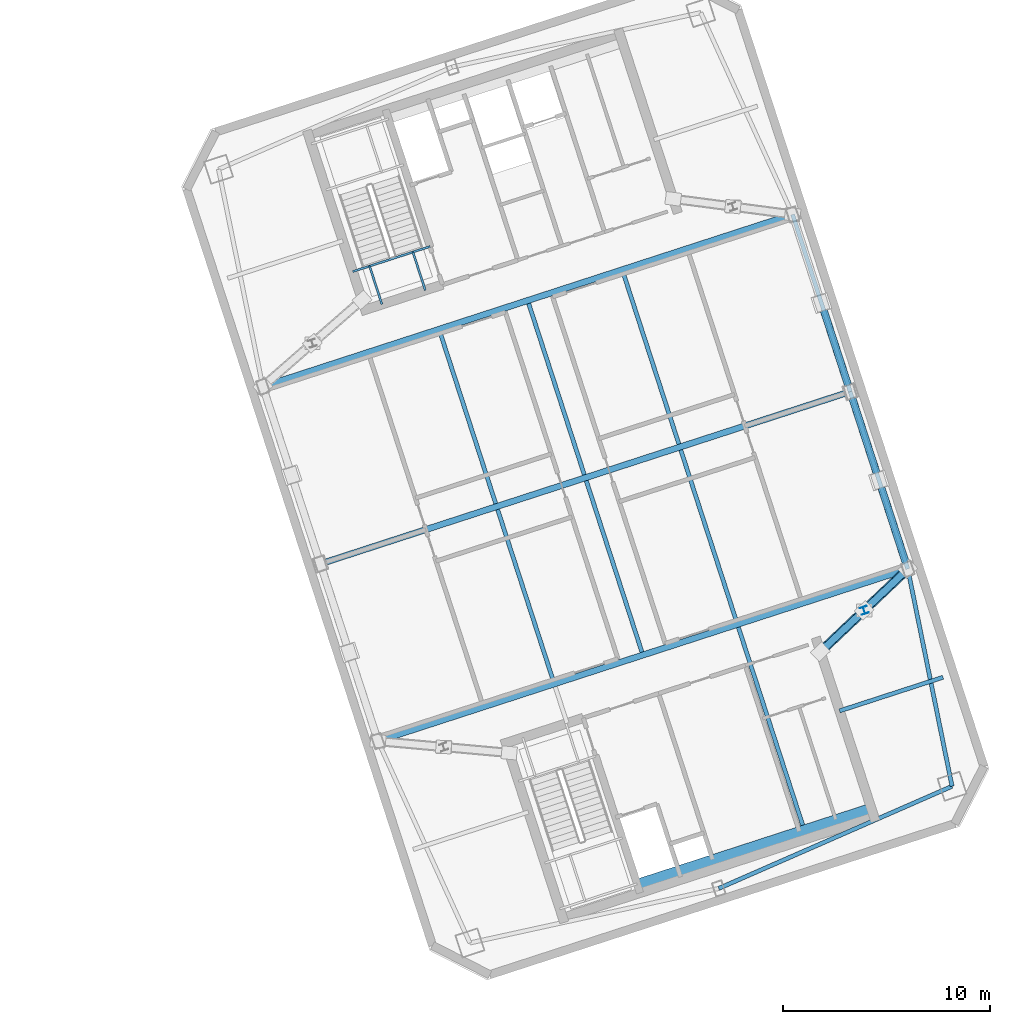
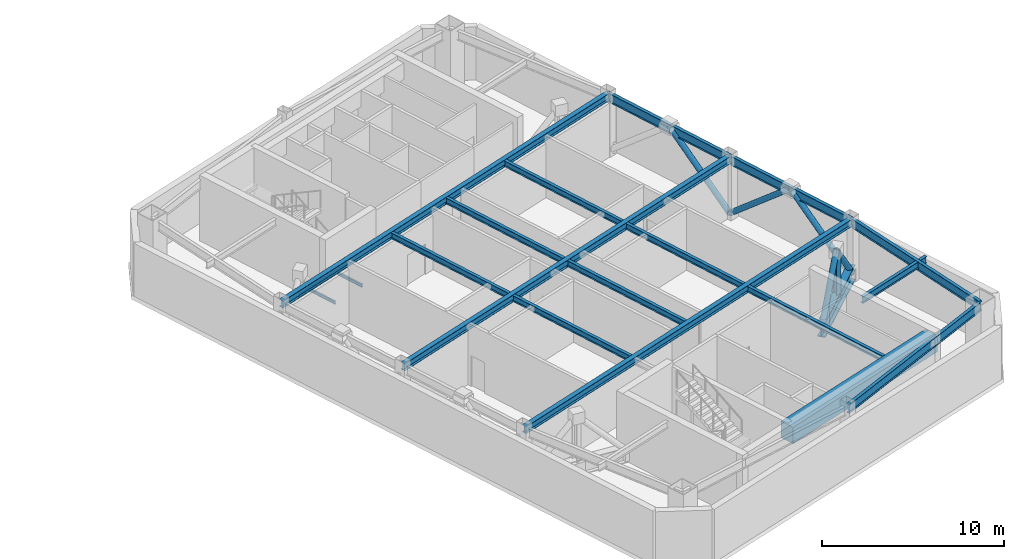
# One storey, part 7 of 17: 20 beams, 6 members.
"""IFC4 building model written with IfcOpenShell, lengths in metres."""

from ifc_helpers import new_model, si_unit, direction, frame, origin, origin_2d, place, context, subcontext, project, spatial, rectangle, hollow_circle, i_section, extrude, material, material_profile, profile_set, type_object, element, save


model = new_model("IFC4")

# Units and contexts
model_context = context("Model", 3, precision=1e-05, world=origin(), true_north=direction((0.0, 1.0)))
body_context = subcontext(model_context, "Body", "Model", "MODEL_VIEW")
ifc_project = project(units=[si_unit("LENGTHUNIT", "METRE"), si_unit("AREAUNIT", "SQUARE_METRE"), si_unit("VOLUMEUNIT", "CUBIC_METRE"), si_unit("PLANEANGLEUNIT", "RADIAN"), si_unit("MASSUNIT", "GRAM", prefix="KILO")], contexts=[model_context])

# Site, building, storey
site_placement = place(None, origin())
site = spatial("IfcSite", under=ifc_project, at=site_placement, CompositionType="ELEMENT")
building_placement = place(site_placement, origin())
building = spatial("IfcBuilding", under=site, at=building_placement, Name="Qiaolan Cultural Towers", CompositionType="ELEMENT")
storey_placement = place(building_placement, frame((0.0, 0.0, 230.0)))
storey = spatial("IfcBuildingStorey", under=building, at=storey_placement, Name="L62", CompositionType="ELEMENT", Elevation=230.0)

# Beams
ifc_material_1 = material(Name="Steel Q390GJB", Category="steel")
ifc_material_profile_1 = material_profile(ifc_material_1, i_section(OverallWidth=0.449951171875, OverallDepth=1.0, WebThickness=0.02392578125, FlangeThickness=0.0400390625, at=origin_2d()), Name="BH1000x450x24x40")
ifc_profile_set_1 = profile_set([ifc_material_profile_1], Name="Steel Q390GJB")
beam_type_1 = type_object("IfcBeamType", Name="BM-BH1000x450x24x40", PredefinedType="BEAM", material=ifc_profile_set_1)
beam_1_placement = place(storey_placement, frame((101.352294921875, 25.5966796875, 0.5), z_axis=(0.725809242033, 0.687896027158, 0.0), x_axis=(-0.687896027158, 0.725809242033, 0.0)))
element("IfcBeam", 1, at=beam_1_placement, inside=storey, type_object=beam_type_1, Name="L62 T2 Outrigger Bottom Chord Girder ES", PredefinedType="BEAM", context=body_context, shape_type="SweptSolid", body=[
    extrude(i_section(OverallWidth=0.449951171875, OverallDepth=1.0, WebThickness=0.02392578125, FlangeThickness=0.0400390625, at=origin_2d()), origin(), (0.0, 0.0, 1.0), 5.81494140625),
])
ifc_material_2 = material(Name="Steel Q355B", Category="steel")
ifc_material_profile_2 = material_profile(ifc_material_2, i_section(OverallWidth=0.300048828125, OverallDepth=0.488037109375, WebThickness=0.010986328125, FlangeThickness=0.01806640625, at=origin_2d()), Name="HM488x300x11x18")
ifc_profile_set_2 = profile_set([ifc_material_profile_2], Name="Steel Q355B")
beam_type_2 = type_object("IfcBeamType", Name="BM-HM488x300x11x18", PredefinedType="BEAM", material=ifc_profile_set_2)
beam_2_placement = place(storey_placement, frame((79.989501953125, 21.2841796875, 3.89599609375), z_axis=(0.951056543098, 0.309016911884, 0.0), x_axis=(-0.309016911884, 0.951056543098, 0.0)))
element("IfcBeam", 2, at=beam_2_placement, inside=storey, type_object=beam_type_2, Name="L62 T2 Primary Transverse Girder V1", PredefinedType="BEAM", context=body_context, shape_type="SweptSolid", body=[
    extrude(i_section(OverallWidth=0.300048828125, OverallDepth=0.488037109375, WebThickness=0.010986328125, FlangeThickness=0.01806640625, at=origin_2d()), origin(), (0.0, 0.0, 1.0), 26.89990234375),
])
beam_3_placement = place(storey_placement, frame((77.208251953125, 29.84375, 3.89599609375), z_axis=(0.95105740976, 0.309014244561, 0.0), x_axis=(-0.309014244561, 0.95105740976, 0.0)))
element("IfcBeam", 3, at=beam_3_placement, inside=storey, type_object=beam_type_2, Name="L62 T2 Primary Transverse Girder V2", PredefinedType="BEAM", context=body_context, shape_type="SweptSolid", body=[
    extrude(i_section(OverallWidth=0.300048828125, OverallDepth=0.488037109375, WebThickness=0.010986328125, FlangeThickness=0.01806640625, at=origin_2d()), origin(), (0.0, 0.0, 1.0), 26.900146484375),
])
beam_4_placement = place(storey_placement, frame((74.42724609375, 38.4033203125, 3.89599609375), z_axis=(0.951056543098, 0.309016911884, 0.0), x_axis=(-0.309016911884, 0.951056543098, 0.0)))
element("IfcBeam", 4, at=beam_4_placement, inside=storey, type_object=beam_type_2, Name="L62 T2 Primary Transverse Girder V3", PredefinedType="BEAM", context=body_context, shape_type="SweptSolid", body=[
    extrude(i_section(OverallWidth=0.300048828125, OverallDepth=0.488037109375, WebThickness=0.010986328125, FlangeThickness=0.01806640625, at=origin_2d()), origin(), (0.0, 0.0, 1.0), 26.89990234375),
])
ifc_material_3 = material(Name="Steel Q355B", Category="steel")
ifc_material_profile_3 = material_profile(ifc_material_3, i_section(OverallWidth=0.199951171875, OverallDepth=0.39990234375, WebThickness=0.008056640625, FlangeThickness=0.012939453125, at=origin_2d()), Name="HN400x200x8x13")
ifc_profile_set_3 = profile_set([ifc_material_profile_3], Name="Steel Q355B")
beam_type_3 = type_object("IfcBeamType", Name="BM-JST-HN400x200x8x13", PredefinedType="JOIST", material=ifc_profile_set_3)
for number, where, z_axis, x_axis, name in (
    (5, (88.455078125, 24.192626953125, 3.93994140625), (-0.309020714809, 0.951055307445, 0.0), (-0.951055307445, -0.309020714809, 0.0), "L62 T2 Secondary Floor Joist U1-2"),
    (6, (85.673828125, 32.752197265625, 3.93994140625), (-0.309020714809, 0.951055307445, 0.0), (-0.951055307445, -0.309020714809, 0.0), "L62 T2 Secondary Floor Joist U1-3"),
    (7, (92.73486328125, 25.583251953125, 3.93994140625), (-0.309020714809, 0.951055307445, 0.0), (-0.951055307445, -0.309020714809, 0.0), "L62 T2 Secondary Floor Joist U2-2"),
    (8, (89.95361328125, 34.142578125, 3.93994140625), (-0.309020714809, 0.951055307445, 0.0), (-0.951055307445, -0.309020714809, 0.0), "L62 T2 Secondary Floor Joist U2-3"),
):
    element("IfcBeam", number, at=place(storey_placement, frame(where, z_axis=z_axis, x_axis=x_axis)), inside=storey, type_object=beam_type_3, Name=name, PredefinedType="JOIST", context=body_context, shape_type="SweptSolid", body=[
        extrude(i_section(OverallWidth=0.199951171875, OverallDepth=0.39990234375, WebThickness=0.008056640625, FlangeThickness=0.012939453125, at=origin_2d()), origin(), (0.0, 0.0, 1.0), 8.699951171875),
    ])
beam_5_placement = place(storey_placement, frame((100.498291015625, 17.222900390625, 3.93994140625), z_axis=(-0.309025649293, 0.951053704098, 0.0), x_axis=(-0.951053704098, -0.309025649293, 0.0)))
element("IfcBeam", 9, at=beam_5_placement, inside=storey, type_object=beam_type_3, Name="L62 T2 Secondary Floor Joist U3-1", PredefinedType="JOIST", context=body_context, shape_type="SweptSolid", body=[
    extrude(i_section(OverallWidth=0.199951171875, OverallDepth=0.39990234375, WebThickness=0.008056640625, FlangeThickness=0.012939453125, at=origin_2d()), origin(), (0.0, 0.0, 1.0), 10.050048828125),
])
for number, where, z_axis, x_axis, name in (
    (10, (97.2998046875, 27.06640625, 3.93994140625), (-0.309020714809, 0.951055307445, 0.0), (-0.951055307445, -0.309020714809, 0.0), "L62 T2 Secondary Floor Joist U3-2"),
    (11, (94.518798828125, 35.6259765625, 3.93994140625), (-0.309020714809, 0.951055307445, 0.0), (-0.951055307445, -0.309020714809, 0.0), "L62 T2 Secondary Floor Joist U3-3"),
):
    element("IfcBeam", number, at=place(storey_placement, frame(where, z_axis=z_axis, x_axis=x_axis)), inside=storey, type_object=beam_type_3, Name=name, PredefinedType="JOIST", context=body_context, shape_type="SweptSolid", body=[
        extrude(i_section(OverallWidth=0.199951171875, OverallDepth=0.39990234375, WebThickness=0.008056640625, FlangeThickness=0.012939453125, at=origin_2d()), origin(), (0.0, 0.0, 1.0), 8.699951171875),
    ])
ifc_material_4 = material(Name="Steel Q355B", Category="steel")
ifc_material_profile_4 = material_profile(ifc_material_4, i_section(OverallWidth=0.199951171875, OverallDepth=0.449951171875, WebThickness=0.009033203125, FlangeThickness=0.013916015625, at=origin_2d()), Name="HN450x200x9x14")
ifc_profile_set_4 = profile_set([ifc_material_profile_4], Name="Steel Q355B")
beam_type_4 = type_object("IfcBeamType", Name="BM-LNT-HN450x200x9x14", PredefinedType="LINTEL", material=ifc_profile_set_4)
beam_6_placement = place(storey_placement, frame((102.279296875, 22.74365234375, 3.9150390625), z_axis=(0.951060037126, 0.309006158161, 0.0), x_axis=(-0.309006158161, 0.951060037126, 0.0)))
element("IfcBeam", 12, at=beam_6_placement, inside=storey, type_object=beam_type_4, Name="L62 T2 Core Flank Tie Lintel ES", PredefinedType="LINTEL", context=body_context, shape_type="SweptSolid", body=[
    extrude(i_section(OverallWidth=0.199951171875, OverallDepth=0.449951171875, WebThickness=0.009033203125, FlangeThickness=0.013916015625, at=origin_2d()), origin(), (0.0, 0.0, 1.0), 5.25),
])
ifc_material_5 = material(Name="Concrete C50", Category="concrete")
ifc_material_profile_5 = material_profile(ifc_material_5, rectangle(XDim=0.89990234375, YDim=1.10009765625, at=origin_2d()), Name="RC900x1100")
ifc_profile_set_5 = profile_set([ifc_material_profile_5], Name="Concrete C50")
beam_type_5 = type_object("IfcBeamType", Name="BM-RC900x1100", PredefinedType="BEAM", material=ifc_profile_set_5)
beam_7_placement = place(storey_placement, frame((92.572265625, 14.174560546875, 3.590087890625), z_axis=(0.951056266386, 0.309017763514, 0.0), x_axis=(-0.309017763514, 0.951056266386, 0.0)))
element("IfcBeam", 13, at=beam_7_placement, inside=storey, type_object=beam_type_5, Name="L62 T2 Core Header Girder S", PredefinedType="BEAM", context=body_context, shape_type="SweptSolid", body=[
    extrude(rectangle(XDim=0.89990234375, YDim=1.10009765625, at=origin_2d()), origin(), (0.0, 0.0, 1.0), 11.880126953125),
])
ifc_material_6 = material(Name="Steel Q355B", Category="steel")
ifc_material_profile_6 = material_profile(ifc_material_6, i_section(OverallWidth=0.199951171875, OverallDepth=0.60009765625, WebThickness=0.010986328125, FlangeThickness=0.01708984375, at=origin_2d()), Name="HN600x200x11x17")
ifc_profile_set_6 = profile_set([ifc_material_profile_6], Name="Steel Q355B")
beam_type_6 = type_object("IfcBeamType", Name="BM-SPD-HN600x200x11x17", PredefinedType="SPANDREL", material=ifc_profile_set_6)
beam_8_placement = place(storey_placement, frame((96.443115234375, 14.17041015625, 3.840087890625), z_axis=(0.916042038824, 0.401082264762, 0.0), x_axis=(-0.401082264762, 0.916042038824, 0.0)))
element("IfcBeam", 14, at=beam_8_placement, inside=storey, type_object=beam_type_6, Name="L62 T2 Perimeter Spandrel Beam 2", PredefinedType="SPANDREL", context=body_context, shape_type="SweptSolid", body=[
    extrude(i_section(OverallWidth=0.199951171875, OverallDepth=0.60009765625, WebThickness=0.010986328125, FlangeThickness=0.01708984375, at=origin_2d()), origin(), (0.0, 0.0, 1.0), 12.299560546875),
])
beam_9_placement = place(storey_placement, frame((107.7099609375, 19.103515625, 3.840087890625), z_axis=(-0.199578538116, 0.979881833245, 0.0), x_axis=(-0.979881833245, -0.199578538116, 0.0)))
element("IfcBeam", 15, at=beam_9_placement, inside=storey, type_object=beam_type_6, Name="L62 T2 Perimeter Spandrel Beam 3", PredefinedType="SPANDREL", context=body_context, shape_type="SweptSolid", body=[
    extrude(i_section(OverallWidth=0.199951171875, OverallDepth=0.60009765625, WebThickness=0.010986328125, FlangeThickness=0.01708984375, at=origin_2d()), origin(), (0.0, 0.0, 1.0), 10.70849609375),
])
for number, where, z_axis, x_axis, name in (
    (16, (105.57275390625, 29.5966796875, 3.840087890625), (-0.309000197986, 0.951061973609, 0.0), (-0.951061973609, -0.309000197986, 0.0), "L62 T2 Perimeter Spandrel Beam 4"),
    (17, (102.791748046875, 38.15625, 3.840087890625), (-0.309024734286, 0.951054001411, 0.0), (-0.951054001411, -0.309024734286, 0.0), "L62 T2 Perimeter Spandrel Beam 5"),
):
    element("IfcBeam", number, at=place(storey_placement, frame(where, z_axis=z_axis, x_axis=x_axis)), inside=storey, type_object=beam_type_6, Name=name, PredefinedType="SPANDREL", context=body_context, shape_type="SweptSolid", body=[
        extrude(i_section(OverallWidth=0.199951171875, OverallDepth=0.60009765625, WebThickness=0.010986328125, FlangeThickness=0.01708984375, at=origin_2d()), origin(), (0.0, 0.0, 1.0), 9.0),
    ])
ifc_material_7 = material(Name="Steel Q355B", Category="steel")
ifc_material_profile_7 = material_profile(ifc_material_7, i_section(OverallWidth=0.10009765625, OverallDepth=0.199951171875, WebThickness=0.005615234375, FlangeThickness=0.008056640625, at=origin_2d()), Name="HN200x100x5.5x8")
ifc_profile_set_7 = profile_set([ifc_material_profile_7], Name="Steel Q355B")
beam_type_7 = type_object("IfcBeamType", Name="BM-STTRIM-200", PredefinedType="BEAM", material=ifc_profile_set_7)
beam_10_placement = place(storey_placement, frame((78.773193359375, 43.958251953125, -0.4599609375), z_axis=(0.951072048947, 0.3089691857, 0.0), x_axis=(-0.3089691857, 0.951072048947, 0.0)))
element("IfcBeam", 18, at=beam_10_placement, inside=storey, type_object=beam_type_7, Name="L62 ST-E2 Floor Landing Header Beam", PredefinedType="BEAM", context=body_context, shape_type="SweptSolid", body=[
    extrude(i_section(OverallWidth=0.10009765625, OverallDepth=0.199951171875, WebThickness=0.005615234375, FlangeThickness=0.008056640625, at=origin_2d()), origin(), (0.0, 0.0, 1.0), 3.920166015625),
])
for number, where, z_axis, x_axis, name in (
    (19, (80.18115234375, 42.375732421875, -0.4599609375), (-0.308969394428, 0.951071981138, 0.0), (-0.951071981138, -0.308969394428, 0.0), "L62 ST-E2 Floor Landing Stringer 1"),
    (20, (82.2734375, 43.0556640625, -0.4599609375), (-0.308969394428, 0.951071981138, 0.0), (-0.951071981138, -0.308969394428, 0.0), "L62 ST-E2 Floor Landing Stringer 2"),
):
    element("IfcBeam", number, at=place(storey_placement, frame(where, z_axis=z_axis, x_axis=x_axis)), inside=storey, type_object=beam_type_7, Name=name, PredefinedType="BEAM", context=body_context, shape_type="SweptSolid", body=[
        extrude(i_section(OverallWidth=0.10009765625, OverallDepth=0.199951171875, WebThickness=0.005615234375, FlangeThickness=0.008056640625, at=origin_2d()), origin(), (0.0, 0.0, 1.0), 1.93994140625),
    ])

# Members
ifc_material_8 = material(Name="Steel Q355B", Category="steel")
ifc_material_profile_8 = material_profile(ifc_material_8, hollow_circle(Radius=0.175537109375, WallThickness=0.01611328125, at=origin_2d()), Name="CHS351x16")
ifc_profile_set_8 = profile_set([ifc_material_profile_8], Name="Steel Q355B")
member_type_1 = type_object("IfcMemberType", Name="MBR-BRC-CHS351x16", PredefinedType="BRACE", material=ifc_profile_set_8)
member_1_placement = place(storey_placement, frame((101.352294921875, 25.5966796875, 0.5), z_axis=(0.473344460376, 0.448592991601, 0.75809587106), x_axis=(-0.687875064764, 0.725829108865, 0.0)))
element("IfcMember", 21, at=member_1_placement, inside=storey, type_object=member_type_1, Name="L62 T2 Outrigger Truss Diagonal ES-1", PredefinedType="BRACE", context=body_context, shape_type="SweptSolid", body=[
    extrude(hollow_circle(Radius=0.175537109375, WallThickness=0.01611328125, at=origin_2d()), origin(), (0.0, 0.0, 1.0), 4.45849609375),
])
member_2_placement = place(storey_placement, frame((103.462646484375, 27.5966796875, 3.8798828125), z_axis=(0.473301968062, 0.44860461904, -0.758115520751), x_axis=(-0.687916990255, 0.725789373385, 0.0)))
element("IfcMember", 22, at=member_2_placement, inside=storey, type_object=member_type_1, Name="L62 T2 Outrigger Truss Diagonal ES-2", PredefinedType="BRACE", context=body_context, shape_type="SweptSolid", body=[
    extrude(hollow_circle(Radius=0.175537109375, WallThickness=0.01611328125, at=origin_2d()), origin(), (0.0, 0.0, 1.0), 4.458251953125),
])
for number, where, z_axis, x_axis, name in (
    (23, (105.57275390625, 29.5966796875, 0.199951171875), (-0.236582731342, 0.728234465396, 0.643197617098), (-0.951069945308, -0.308975661068, 0.0), "L62 T2 Perimeter Belt Truss E1-A"),
    (24, (104.182373046875, 33.87646484375, 3.97998046875), (-0.236621947773, 0.728227307666, -0.643191295185), (-0.951054001411, -0.309024734286, 0.0), "L62 T2 Perimeter Belt Truss E1-B"),
    (25, (102.791748046875, 38.15625, 0.199951171875), (-0.236621947773, 0.728227307666, 0.643191295185), (-0.951054001411, -0.309024734286, 0.0), "L62 T2 Perimeter Belt Truss E2-A"),
):
    element("IfcMember", number, at=place(storey_placement, frame(where, z_axis=z_axis, x_axis=x_axis)), inside=storey, type_object=member_type_1, Name=name, PredefinedType="BRACE", context=body_context, shape_type="SweptSolid", body=[
        extrude(hollow_circle(Radius=0.175537109375, WallThickness=0.01611328125, at=origin_2d()), origin(), (0.0, 0.0, 1.0), 5.876953125),
    ])
ifc_material_9 = material(Name="Steel Q355B", Category="steel")
ifc_material_profile_9 = material_profile(ifc_material_9, i_section(OverallWidth=0.35009765625, OverallDepth=0.35009765625, WebThickness=0.011962890625, FlangeThickness=0.01904296875, at=origin_2d()), Name="HW350x350x12x19")
ifc_profile_set_9 = profile_set([ifc_material_profile_9], Name="Steel Q355B")
member_type_2 = type_object("IfcMemberType", Name="MBR-POST-HW350x350x12x19", PredefinedType="STUD", material=ifc_profile_set_9)
member_3_placement = place(storey_placement, frame((103.462646484375, 27.5966796875, 0.5), z_axis=(0.0, 0.0, 1.0), x_axis=(0.951056516295, 0.309016994375, 0.0)))
element("IfcMember", 26, at=member_3_placement, inside=storey, type_object=member_type_2, Name="L62 T2 Outrigger King Web ES", PredefinedType="STUD", context=body_context, shape_type="SweptSolid", body=[
    extrude(i_section(OverallWidth=0.35009765625, OverallDepth=0.35009765625, WebThickness=0.011962890625, FlangeThickness=0.01904296875, at=origin_2d()), origin(), (0.0, 0.0, 1.0), 3.3798828125),
])

save(model, "model.ifc")
